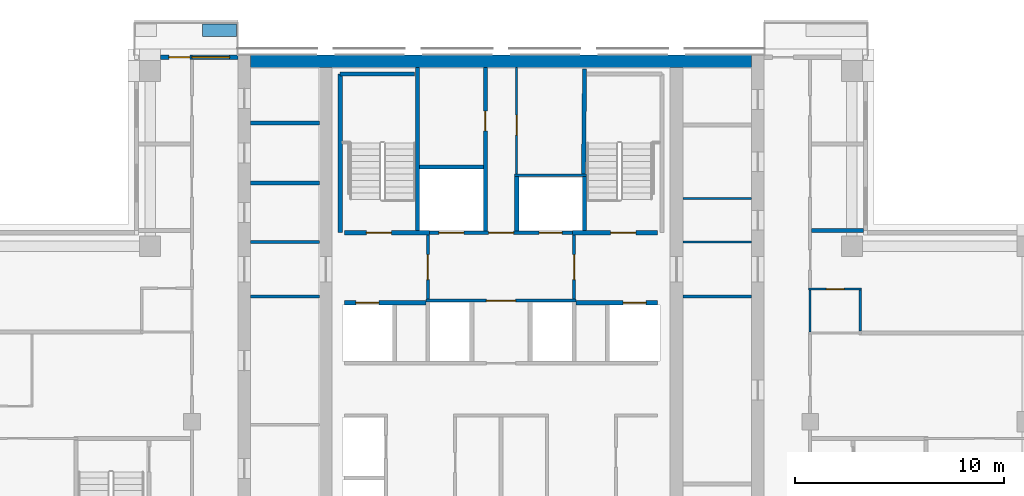
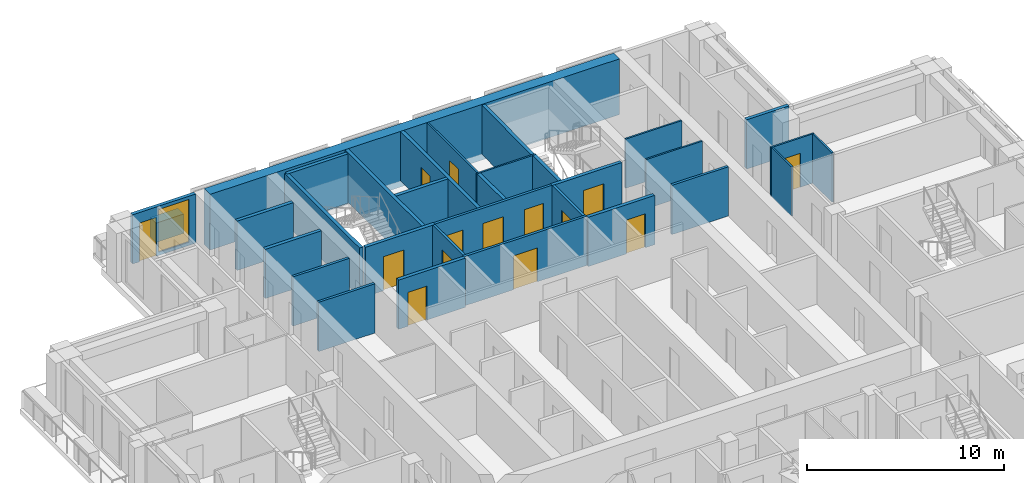
# One storey, part 12 of 16: 32 walls, 14 doors, 1 window, 15 openings.
"""IFC4 building model written with IfcOpenShell, lengths in metres."""

from ifc_helpers import new_model, si_unit, direction, frame, frame_2d, origin, place, context, subcontext, project, spatial, rectangle, extrude, material, layer, layer_set, type_object, element, fill, save


model = new_model("IFC4")

# Units and contexts
model_context = context("Model", 3, precision=1e-05, world=origin(), true_north=direction((0.0, 1.0)))
body_context = subcontext(model_context, "Body", "Model", "MODEL_VIEW")
ifc_project = project(units=[si_unit("LENGTHUNIT", "METRE"), si_unit("AREAUNIT", "SQUARE_METRE"), si_unit("VOLUMEUNIT", "CUBIC_METRE"), si_unit("PLANEANGLEUNIT", "RADIAN"), si_unit("MASSUNIT", "GRAM", prefix="KILO")], contexts=[model_context])

# Site, building, storey
site_placement = place(None, origin())
site = spatial("IfcSite", under=ifc_project, at=site_placement, CompositionType="ELEMENT")
building_placement = place(site_placement, origin())
building = spatial("IfcBuilding", under=site, at=building_placement, Name="Vermilion Ogive Tower", CompositionType="ELEMENT")
storey_placement = place(building_placement, frame((0.0, 0.0, 179.0)))
storey = spatial("IfcBuildingStorey", under=building, at=storey_placement, Name="L46", CompositionType="ELEMENT", Elevation=179.0)

# Wall
ifc_material_1 = material(Name="Concrete B60", Category="concrete")
ifc_layer_1 = layer(ifc_material_1, 0.60009765625)
ifc_layer_set_1 = layer_set([ifc_layer_1], Name="Core wall 600 B60")
wall_type_1 = type_object("IfcWallType", Name="Core wall 600 B60", PredefinedType="SHEAR", material=ifc_layer_set_1)
wall_1_placement = place(storey_placement, frame((-12.0, 21.449951171875, -0.39990234375), z_axis=(0.0, 0.0, 1.0), x_axis=(1.0, 0.0, 0.0)))
element("IfcWall", 1, at=wall_1_placement, inside=storey, type_object=wall_type_1, Name="L46-CORE-N", PredefinedType="SHEAR", context=body_context, shape_type="SweptSolid", body=[
    extrude(rectangle(XDim=24.0, YDim=0.60009765625, at=frame_2d((12.0, 0.0))), origin(), (0.0, 0.0, 1.0), 3.449951171875),
])

# Wall, opening, door
ifc_material_2 = material(Name="Gypsum board partition on steel studs", Category="steel")
ifc_layer_2 = layer(ifc_material_2, 0.10009765625)
ifc_layer_set_2 = layer_set([ifc_layer_2], Name="Partition 100 bath")
wall_type_2 = type_object("IfcWallType", Name="Partition 100 bath", PredefinedType="PARTITIONING", material=ifc_layer_set_2)
wall_2_placement = place(storey_placement, frame((14.72509765625, 10.550048828125, 0.0), z_axis=(0.0, 0.0, 1.0), x_axis=(1.0, 0.0, 0.0)))
wall_2 = element("IfcWall", 2, at=wall_2_placement, inside=storey, type_object=wall_type_2, Name="L46-W-W036", PredefinedType="PARTITIONING", context=body_context, shape_type="SweptSolid", body=[
    extrude(rectangle(XDim=2.52490234375, YDim=0.10009765625, at=frame_2d((1.262451171875, 0.0))), origin(), (0.0, 0.0, 1.0), 3.050048828125),
])
opening_1_placement = place(wall_2_placement, frame((0.849853515625, 0.0, 0.0)))
opening_1 = element("IfcOpeningElement", 3, at=opening_1_placement, cuts=wall_2, Name="Opening D4G1024", PredefinedType="OPENING", context=body_context, shape_type="SweptSolid", body=[
    extrude(rectangle(XDim=0.85009765625, YDim=2.10009765625, at=frame_2d((0.425048828125, 1.050048828125))), frame((0.0, 0.06005859375, 0.0), z_axis=(0.0, -1.0, 0.0), x_axis=(1.0, 0.0, 0.0)), (0.0, 0.0, 1.0), 0.1201171875),
])
ifc_material_3 = material(Name="Timber door leaf", Category="wood")
door_type_1 = type_object("IfcDoorType", Name="Bath door 850 x 2100 FD30", OperationType="SINGLE_SWING_LEFT", PredefinedType="DOOR", material=ifc_material_3)
door_1_placement = place(opening_1_placement, origin())
door_1 = element("IfcDoor", 4, at=door_1_placement, inside=storey, type_object=door_type_1, Name="L46-D-D024", OperationType="SINGLE_SWING_RIGHT", OverallHeight=2.10009765625, OverallWidth=0.85009765625, PredefinedType="DOOR", context=body_context, shape_type="SweptSolid", body=[
    extrude(rectangle(XDim=0.85009765625, YDim=2.10009765625, at=frame_2d((0.425048828125, 1.050048828125))), frame((0.0, 0.02490234375, 0.0), z_axis=(0.0, -1.0, 0.0), x_axis=(1.0, 0.0, 0.0)), (0.0, 0.0, 1.0), 0.050048828125),
])
fill(opening_1, door_1)

# Walls
wall_3_placement = place(storey_placement, frame((14.800048828125, 8.5, 0.0), z_axis=(0.0, 0.0, 1.0), x_axis=(0.0, 1.0, 0.0)))
element("IfcWall", 5, at=wall_3_placement, inside=storey, type_object=wall_type_2, Name="L46-W-W073", PredefinedType="PARTITIONING", context=body_context, shape_type="SweptSolid", body=[
    extrude(rectangle(XDim=2.0, YDim=0.10009765625, at=frame_2d((1.0, 0.0))), origin(), (0.0, 0.0, 1.0), 3.050048828125),
])
wall_4_placement = place(storey_placement, frame((17.199951171875, 8.550048828125, 0.0), z_axis=(0.0, 0.0, 1.0), x_axis=(0.0, 1.0, 0.0)))
element("IfcWall", 6, at=wall_4_placement, inside=storey, type_object=wall_type_2, Name="L46-W-W076", PredefinedType="PARTITIONING", context=body_context, shape_type="SweptSolid", body=[
    extrude(rectangle(XDim=1.949951171875, YDim=0.10009765625, at=frame_2d((0.97509765625, 0.0))), origin(), (0.0, 0.0, 1.0), 3.050048828125),
])
wall_5_placement = place(storey_placement, frame((0.64990234375, 16.0, 0.0), z_axis=(0.0, 0.0, 1.0), x_axis=(1.0, 0.0, 0.0)))
element("IfcWall", 7, at=wall_5_placement, inside=storey, type_object=wall_type_2, Name="L46-CK-W-W018", PredefinedType="PARTITIONING", context=body_context, shape_type="SweptSolid", body=[
    extrude(rectangle(XDim=3.4501953125, YDim=0.10009765625, at=frame_2d((1.72509765625, 0.0))), origin(), (0.0, 0.0, 1.0), 3.050048828125),
])

# Wall, opening, door
wall_6_placement = place(storey_placement, frame((0.75, 16.050048828125, 0.0), z_axis=(0.0, 0.0, 1.0), x_axis=(0.0, 1.0, 0.0)))
wall_6 = element("IfcWall", 8, at=wall_6_placement, inside=storey, type_object=wall_type_2, Name="L46-CK-W-W030", PredefinedType="PARTITIONING", context=body_context, shape_type="SweptSolid", body=[
    extrude(rectangle(XDim=5.098876953125, YDim=0.10009765625, at=frame_2d((2.54931640625, 0.0))), origin(), (0.0, 0.0, 1.0), 3.050048828125),
])
opening_2_placement = place(wall_6_placement, frame((1.875, 0.0, 0.0)))
opening_2 = element("IfcOpeningElement", 9, at=opening_2_placement, cuts=wall_6, Name="Opening DAA407", PredefinedType="OPENING", context=body_context, shape_type="SweptSolid", body=[
    extrude(rectangle(XDim=0.949951171875, YDim=2.10009765625, at=frame_2d((0.47509765625, 1.050048828125))), frame((0.0, 0.06005859375, 0.0), z_axis=(0.0, -1.0, 0.0), x_axis=(1.0, 0.0, 0.0)), (0.0, 0.0, 1.0), 0.1201171875),
])
ifc_material_4 = material(Name="Timber door leaf", Category="wood")
door_type_2 = type_object("IfcDoorType", Name="Service door 950 x 2100 FD60", OperationType="SINGLE_SWING_LEFT", PredefinedType="DOOR", material=ifc_material_4)
door_2_placement = place(opening_2_placement, origin())
door_2 = element("IfcDoor", 10, at=door_2_placement, inside=storey, type_object=door_type_2, Name="L46-CK-D-D022", OperationType="SINGLE_SWING_LEFT", OverallHeight=2.10009765625, OverallWidth=0.949951171875, PredefinedType="DOOR", context=body_context, shape_type="SweptSolid", body=[
    extrude(rectangle(XDim=0.949951171875, YDim=2.10009765625, at=frame_2d((0.47509765625, 1.050048828125))), frame((0.0, 0.02490234375, 0.0), z_axis=(0.0, -1.0, 0.0), x_axis=(1.0, 0.0, 0.0)), (0.0, 0.0, 1.0), 0.050048828125),
])
fill(opening_2, door_2)

# Walls
for number, where, z_axis, x_axis, name in (
    (11, (8.700927734375, 12.800048828125, 0.0), (0.0, 0.0, 1.0), (1.0, 0.0, 0.0), "L46-CKE-W-W003"),
    (12, (8.700927734375, 14.89111328125, 0.0), (0.0, 0.0, 1.0), (1.0, 0.0, 0.0), "L46-CKE-W-W004"),
):
    element("IfcWall", number, at=place(storey_placement, frame(where, z_axis=z_axis, x_axis=x_axis)), inside=storey, type_object=wall_type_2, Name=name, PredefinedType="PARTITIONING", context=body_context, shape_type="SweptSolid", body=[
        extrude(rectangle(XDim=3.298095703125, YDim=0.10009765625, at=frame_2d((1.64892578125, 0.0))), origin(), (0.0, 0.0, 1.0), 3.050048828125),
    ])

# Wall, opening, door
ifc_material_5 = material(Name="Gypsum board partition on steel studs", Category="steel")
ifc_layer_3 = layer(ifc_material_5, 0.14990234375)
ifc_layer_set_3 = layer_set([ifc_layer_3], Name="Partition 150 corridor")
wall_type_3 = type_object("IfcWallType", Name="Partition 150 corridor", PredefinedType="PARTITIONING", material=ifc_layer_set_3)
wall_7_placement = place(storey_placement, frame((-3.60009765625, 10.0, 0.0), z_axis=(0.0, 0.0, 1.0), x_axis=(1.0, 0.0, 0.0)))
wall_7 = element("IfcWall", 13, at=wall_7_placement, inside=storey, type_object=wall_type_3, Name="L46-CK-W-W014", PredefinedType="PARTITIONING", context=body_context, shape_type="SweptSolid", body=[
    extrude(rectangle(XDim=7.2001953125, YDim=0.14990234375, at=frame_2d((3.60009765625, 0.0))), origin(), (0.0, 0.0, 1.0), 3.050048828125),
])
opening_3_placement = place(wall_7_placement, frame((2.900146484375, 0.0, 0.0)))
opening_3 = element("IfcOpeningElement", 14, at=opening_3_placement, cuts=wall_7, Name="Opening DAA398", PredefinedType="OPENING", context=body_context, shape_type="SweptSolid", body=[
    extrude(rectangle(XDim=1.39990234375, YDim=2.10009765625, at=frame_2d((0.699951171875, 1.050048828125))), frame((0.0, 0.0849609375, 0.0), z_axis=(0.0, -1.0, 0.0), x_axis=(1.0, 0.0, 0.0)), (0.0, 0.0, 1.0), 0.169921875),
])
ifc_material_6 = material(Name="Timber door leaf", Category="wood")
door_type_3 = type_object("IfcDoorType", Name="Lobby door 1400 x 2100 FD60S", OperationType="SINGLE_SWING_LEFT", PredefinedType="DOOR", material=ifc_material_6)
door_3_placement = place(opening_3_placement, origin())
door_3 = element("IfcDoor", 15, at=door_3_placement, inside=storey, type_object=door_type_3, Name="L46-CK-D-D017", OperationType="SINGLE_SWING_RIGHT", OverallHeight=2.10009765625, OverallWidth=1.39990234375, PredefinedType="DOOR", context=body_context, shape_type="SweptSolid", body=[
    extrude(rectangle(XDim=1.39990234375, YDim=2.10009765625, at=frame_2d((0.699951171875, 1.050048828125))), frame((0.0, 0.02490234375, 0.0), z_axis=(0.0, -1.0, 0.0), x_axis=(1.0, 0.0, 0.0)), (0.0, 0.0, 1.0), 0.050048828125),
])
fill(opening_3, door_3)

# Wall, openings, doors
wall_8_placement = place(storey_placement, frame((-3.574951171875, 13.25, 0.0), z_axis=(0.0, 0.0, 1.0), x_axis=(1.0, 0.0, 0.0)))
wall_8 = element("IfcWall", 16, at=wall_8_placement, inside=storey, type_object=wall_type_3, Name="L46-CK-W-W016", PredefinedType="PARTITIONING", context=body_context, shape_type="SweptSolid", body=[
    extrude(rectangle(XDim=7.14990234375, YDim=0.14990234375, at=frame_2d((3.574951171875, 0.0))), origin(), (0.0, 0.0, 1.0), 3.050048828125),
])
opening_4_placement = place(wall_8_placement, frame((0.599853515625, 0.0, 0.0)))
opening_4 = element("IfcOpeningElement", 17, at=opening_4_placement, cuts=wall_8, Name="Opening DAA418", PredefinedType="OPENING", context=body_context, shape_type="SweptSolid", body=[
    extrude(rectangle(XDim=1.199951171875, YDim=2.10009765625, at=frame_2d((0.60009765625, 1.050048828125))), frame((0.0, 0.0849609375, 0.0), z_axis=(0.0, -1.0, 0.0), x_axis=(1.0, 0.0, 0.0)), (0.0, 0.0, 1.0), 0.169921875),
])
opening_5_placement = place(wall_8_placement, frame((5.39990234375, 0.0, 0.0)))
opening_5 = element("IfcOpeningElement", 18, at=opening_5_placement, cuts=wall_8, Name="Opening DAA417", PredefinedType="OPENING", context=body_context, shape_type="SweptSolid", body=[
    extrude(rectangle(XDim=1.10009765625, YDim=2.10009765625, at=frame_2d((0.550048828125, 1.050048828125))), frame((0.0, 0.0849609375, 0.0), z_axis=(0.0, -1.0, 0.0), x_axis=(1.0, 0.0, 0.0)), (0.0, 0.0, 1.0), 0.169921875),
])
opening_6_placement = place(wall_8_placement, frame((2.974853515625, 0.0, 0.0)))
opening_6 = element("IfcOpeningElement", 19, at=opening_6_placement, cuts=wall_8, Name="Opening DAA399", PredefinedType="OPENING", context=body_context, shape_type="SweptSolid", body=[
    extrude(rectangle(XDim=1.199951171875, YDim=2.10009765625, at=frame_2d((0.60009765625, 1.050048828125))), frame((0.0, 0.0849609375, 0.0), z_axis=(0.0, -1.0, 0.0), x_axis=(1.0, 0.0, 0.0)), (0.0, 0.0, 1.0), 0.169921875),
])
ifc_material_7 = material(Name="Stainless steel", Category="steel")
door_type_4 = type_object("IfcDoorType", Name="Lift landing door 1100 x 2100", OperationType="SLIDING_TO_LEFT", PredefinedType="DOOR", material=ifc_material_7)
door_4_placement = place(opening_5_placement, origin())
door_4 = element("IfcDoor", 20, at=door_4_placement, inside=storey, type_object=door_type_4, Name="L46-CK-D-D019", OperationType="SLIDING_TO_LEFT", OverallHeight=2.10009765625, OverallWidth=1.10009765625, PredefinedType="DOOR", context=body_context, shape_type="SweptSolid", body=[
    extrude(rectangle(XDim=1.10009765625, YDim=2.10009765625, at=frame_2d((0.550048828125, 1.050048828125))), frame((0.0, 0.02490234375, 0.0), z_axis=(0.0, -1.0, 0.0), x_axis=(1.0, 0.0, 0.0)), (0.0, 0.0, 1.0), 0.050048828125),
])
fill(opening_5, door_4)
ifc_material_8 = material(Name="Stainless steel", Category="steel")
door_type_5 = type_object("IfcDoorType", Name="Lift landing door 1200 x 2100", OperationType="SLIDING_TO_LEFT", PredefinedType="DOOR", material=ifc_material_8)
door_5_placement = place(opening_4_placement, origin())
door_5 = element("IfcDoor", 21, at=door_5_placement, inside=storey, type_object=door_type_5, Name="L46-CK-D-D018", OperationType="SLIDING_TO_RIGHT", OverallHeight=2.10009765625, OverallWidth=1.199951171875, PredefinedType="DOOR", context=body_context, shape_type="SweptSolid", body=[
    extrude(rectangle(XDim=1.199951171875, YDim=2.10009765625, at=frame_2d((0.60009765625, 1.050048828125))), frame((0.0, 0.02490234375, 0.0), z_axis=(0.0, -1.0, 0.0), x_axis=(1.0, 0.0, 0.0)), (0.0, 0.0, 1.0), 0.050048828125),
])
fill(opening_4, door_5)
ifc_material_9 = material(Name="Timber door leaf", Category="wood")
door_type_6 = type_object("IfcDoorType", Name="Service door 1200 x 2100 FD60", OperationType="SINGLE_SWING_LEFT", PredefinedType="DOOR", material=ifc_material_9)
door_6_placement = place(opening_6_placement, origin())
door_6 = element("IfcDoor", 22, at=door_6_placement, inside=storey, type_object=door_type_6, Name="L46-CK-D-D020", OperationType="SINGLE_SWING_RIGHT", OverallHeight=2.10009765625, OverallWidth=1.199951171875, PredefinedType="DOOR", context=body_context, shape_type="SweptSolid", body=[
    extrude(rectangle(XDim=1.199951171875, YDim=2.10009765625, at=frame_2d((0.60009765625, 1.050048828125))), frame((0.0, 0.02490234375, 0.0), z_axis=(0.0, -1.0, 0.0), x_axis=(1.0, 0.0, 0.0)), (0.0, 0.0, 1.0), 0.050048828125),
])
fill(opening_6, door_6)

# Wall, opening, door
wall_9_placement = place(storey_placement, frame((-3.5, 10.074951171875, 0.0), z_axis=(0.0, 0.0, 1.0), x_axis=(0.0, 1.0, 0.0)))
wall_9 = element("IfcWall", 23, at=wall_9_placement, inside=storey, type_object=wall_type_3, Name="L46-CK-W-W024", PredefinedType="PARTITIONING", context=body_context, shape_type="SweptSolid", body=[
    extrude(rectangle(XDim=3.074951171875, YDim=0.14990234375, at=frame_2d((1.53759765625, 0.0))), origin(), (0.0, 0.0, 1.0), 3.050048828125),
])
opening_7_placement = place(wall_9_placement, frame((0.925048828125, 0.0, 0.0)))
opening_7 = element("IfcOpeningElement", 24, at=opening_7_placement, cuts=wall_9, Name="Opening DAA395", PredefinedType="OPENING", context=body_context, shape_type="SweptSolid", body=[
    extrude(rectangle(XDim=1.199951171875, YDim=2.10009765625, at=frame_2d((0.60009765625, 1.050048828125))), frame((0.0, 0.0849609375, 0.0), z_axis=(0.0, -1.0, 0.0), x_axis=(1.0, 0.0, 0.0)), (0.0, 0.0, 1.0), 0.169921875),
])
ifc_material_10 = material(Name="Timber door leaf", Category="wood")
door_type_7 = type_object("IfcDoorType", Name="Lobby door 1200 x 2100 FD60S", OperationType="SINGLE_SWING_LEFT", PredefinedType="DOOR", material=ifc_material_10)
door_7_placement = place(opening_7_placement, origin())
door_7 = element("IfcDoor", 25, at=door_7_placement, inside=storey, type_object=door_type_7, Name="L46-CK-D-D023", OperationType="SINGLE_SWING_RIGHT", OverallHeight=2.10009765625, OverallWidth=1.199951171875, PredefinedType="DOOR", context=body_context, shape_type="SweptSolid", body=[
    extrude(rectangle(XDim=1.199951171875, YDim=2.10009765625, at=frame_2d((0.60009765625, 1.050048828125))), frame((0.0, 0.02490234375, 0.0), z_axis=(0.0, -1.0, 0.0), x_axis=(1.0, 0.0, 0.0)), (0.0, 0.0, 1.0), 0.050048828125),
])
fill(opening_7, door_7)

wall_10_placement = place(storey_placement, frame((3.5, 10.074951171875, 0.0), z_axis=(0.0, 0.0, 1.0), x_axis=(0.0, 1.0, 0.0)))
wall_10 = element("IfcWall", 26, at=wall_10_placement, inside=storey, type_object=wall_type_3, Name="L46-CK-W-W034", PredefinedType="PARTITIONING", context=body_context, shape_type="SweptSolid", body=[
    extrude(rectangle(XDim=3.074951171875, YDim=0.14990234375, at=frame_2d((1.53759765625, 0.0))), origin(), (0.0, 0.0, 1.0), 3.050048828125),
])
opening_8_placement = place(wall_10_placement, frame((0.925048828125, 0.0, 0.0)))
opening_8 = element("IfcOpeningElement", 27, at=opening_8_placement, cuts=wall_10, Name="Opening DAA396", PredefinedType="OPENING", context=body_context, shape_type="SweptSolid", body=[
    extrude(rectangle(XDim=1.199951171875, YDim=2.10009765625, at=frame_2d((0.60009765625, 1.050048828125))), frame((0.0, 0.0849609375, 0.0), z_axis=(0.0, -1.0, 0.0), x_axis=(1.0, 0.0, 0.0)), (0.0, 0.0, 1.0), 0.169921875),
])
door_8_placement = place(opening_8_placement, origin())
door_8 = element("IfcDoor", 28, at=door_8_placement, inside=storey, type_object=door_type_7, Name="L46-CK-D-D024", OperationType="SINGLE_SWING_LEFT", OverallHeight=2.10009765625, OverallWidth=1.199951171875, PredefinedType="DOOR", context=body_context, shape_type="SweptSolid", body=[
    extrude(rectangle(XDim=1.199951171875, YDim=2.10009765625, at=frame_2d((0.60009765625, 1.050048828125))), frame((0.0, 0.02490234375, 0.0), z_axis=(0.0, -1.0, 0.0), x_axis=(1.0, 0.0, 0.0)), (0.0, 0.0, 1.0), 0.050048828125),
])
fill(opening_8, door_8)

# Walls
for number, where, z_axis, x_axis, name in (
    (29, (-11.9990234375, 10.199951171875, 0.0), (0.0, 0.0, 1.0), (1.0, 0.0, 0.0), "L46-CKW-W-W003"),
    (30, (-11.9990234375, 12.800048828125, 0.0), (0.0, 0.0, 1.0), (1.0, 0.0, 0.0), "L46-CKW-W-W004"),
    (31, (8.700927734375, 10.199951171875, 0.0), (0.0, 0.0, 1.0), (1.0, 0.0, 0.0), "L46-CKE-W-W002"),
):
    element("IfcWall", number, at=place(storey_placement, frame(where, z_axis=z_axis, x_axis=x_axis)), inside=storey, type_object=wall_type_3, Name=name, PredefinedType="PARTITIONING", context=body_context, shape_type="SweptSolid", body=[
        extrude(rectangle(XDim=3.298095703125, YDim=0.14990234375, at=frame_2d((1.64892578125, 0.0))), origin(), (0.0, 0.0, 1.0), 3.050048828125),
    ])
ifc_material_11 = material(Name="Gypsum board partition on steel studs", Category="steel")
ifc_layer_4 = layer(ifc_material_11, 0.199951171875)
ifc_layer_set_4 = layer_set([ifc_layer_4], Name="Partition 200 party")
wall_type_4 = type_object("IfcWallType", Name="Partition 200 party", PredefinedType="PARTITIONING", material=ifc_layer_set_4)
wall_11_placement = place(storey_placement, frame((14.875, 13.35009765625, 0.0), z_axis=(0.0, 0.0, 1.0), x_axis=(1.0, 0.0, 0.0)))
element("IfcWall", 32, at=wall_11_placement, inside=storey, type_object=wall_type_4, Name="L46-W-W039", PredefinedType="PARTITIONING", context=body_context, shape_type="SweptSolid", body=[
    extrude(rectangle(XDim=2.47509765625, YDim=0.199951171875, at=frame_2d((1.237548828125, 0.0))), origin(), (0.0, 0.0, 1.0), 3.050048828125),
])

# Wall, opening, door
wall_12_placement = place(storey_placement, frame((-7.5, 9.89990234375, 0.0), z_axis=(0.0, 0.0, 1.0), x_axis=(1.0, 0.0, 0.0)))
wall_12 = element("IfcWall", 33, at=wall_12_placement, inside=storey, type_object=wall_type_4, Name="L46-CK-W-W012", PredefinedType="PARTITIONING", context=body_context, shape_type="SweptSolid", body=[
    extrude(rectangle(XDim=3.89990234375, YDim=0.199951171875, at=frame_2d((1.949951171875, 0.0))), origin(), (0.0, 0.0, 1.0), 3.050048828125),
])
opening_9_placement = place(wall_12_placement, frame((0.550048828125, 0.0, 0.0)))
opening_9 = element("IfcOpeningElement", 34, at=opening_9_placement, cuts=wall_12, Name="Opening DAA415", PredefinedType="OPENING", context=body_context, shape_type="SweptSolid", body=[
    extrude(rectangle(XDim=1.10009765625, YDim=2.10009765625, at=frame_2d((0.550048828125, 1.050048828125))), frame((0.0, 0.10986328125, 0.0), z_axis=(0.0, -1.0, 0.0), x_axis=(1.0, 0.0, 0.0)), (0.0, 0.0, 1.0), 0.219970703125),
])
door_9_placement = place(opening_9_placement, origin())
door_9 = element("IfcDoor", 35, at=door_9_placement, inside=storey, type_object=door_type_4, Name="L46-CK-D-D013", OperationType="SLIDING_TO_RIGHT", OverallHeight=2.10009765625, OverallWidth=1.10009765625, PredefinedType="DOOR", context=body_context, shape_type="SweptSolid", body=[
    extrude(rectangle(XDim=1.10009765625, YDim=2.10009765625, at=frame_2d((0.550048828125, 1.050048828125))), frame((0.0, 0.02490234375, 0.0), z_axis=(0.0, -1.0, 0.0), x_axis=(1.0, 0.0, 0.0)), (0.0, 0.0, 1.0), 0.050048828125),
])
fill(opening_9, door_9)

wall_13_placement = place(storey_placement, frame((3.60009765625, 9.89990234375, 0.0), z_axis=(0.0, 0.0, 1.0), x_axis=(1.0, 0.0, 0.0)))
wall_13 = element("IfcWall", 36, at=wall_13_placement, inside=storey, type_object=wall_type_4, Name="L46-CK-W-W013", PredefinedType="PARTITIONING", context=body_context, shape_type="SweptSolid", body=[
    extrude(rectangle(XDim=3.89990234375, YDim=0.199951171875, at=frame_2d((1.949951171875, 0.0))), origin(), (0.0, 0.0, 1.0), 3.050048828125),
])
opening_10_placement = place(wall_13_placement, frame((2.25, 0.0, 0.0)))
opening_10 = element("IfcOpeningElement", 37, at=opening_10_placement, cuts=wall_13, Name="Opening DAA416", PredefinedType="OPENING", context=body_context, shape_type="SweptSolid", body=[
    extrude(rectangle(XDim=1.10009765625, YDim=2.10009765625, at=frame_2d((0.550048828125, 1.050048828125))), frame((0.0, 0.10986328125, 0.0), z_axis=(0.0, -1.0, 0.0), x_axis=(1.0, 0.0, 0.0)), (0.0, 0.0, 1.0), 0.219970703125),
])
door_10_placement = place(opening_10_placement, origin())
door_10 = element("IfcDoor", 38, at=door_10_placement, inside=storey, type_object=door_type_4, Name="L46-CK-D-D015", OperationType="SLIDING_TO_LEFT", OverallHeight=2.10009765625, OverallWidth=1.10009765625, PredefinedType="DOOR", context=body_context, shape_type="SweptSolid", body=[
    extrude(rectangle(XDim=1.10009765625, YDim=2.10009765625, at=frame_2d((0.550048828125, 1.050048828125))), frame((0.0, 0.02490234375, 0.0), z_axis=(0.0, -1.0, 0.0), x_axis=(1.0, 0.0, 0.0)), (0.0, 0.0, 1.0), 0.050048828125),
])
fill(opening_10, door_10)

# Wall
wall_14_placement = place(storey_placement, frame((-3.89990234375, 16.39990234375, 0.0), z_axis=(0.0, 0.0, 1.0), x_axis=(1.0, 0.0, 0.0)))
element("IfcWall", 39, at=wall_14_placement, inside=storey, type_object=wall_type_4, Name="L46-CK-W-W019", PredefinedType="PARTITIONING", context=body_context, shape_type="SweptSolid", body=[
    extrude(rectangle(XDim=3.0498046875, YDim=0.199951171875, at=frame_2d((1.52490234375, 0.0))), origin(), (0.0, 0.0, 1.0), 3.050048828125),
])

# Wall, opening, door
wall_15_placement = place(storey_placement, frame((-0.75, 13.324951171875, 0.0), z_axis=(0.0, 0.0, 1.0), x_axis=(0.0, 1.0, 0.0)))
wall_15 = element("IfcWall", 40, at=wall_15_placement, inside=storey, type_object=wall_type_4, Name="L46-CK-W-W027", PredefinedType="PARTITIONING", context=body_context, shape_type="SweptSolid", body=[
    extrude(rectangle(XDim=7.823974609375, YDim=0.199951171875, at=frame_2d((3.912109375, 0.0))), origin(), (0.0, 0.0, 1.0), 3.050048828125),
])
opening_11_placement = place(wall_15_placement, frame((4.800048828125, 0.0, 0.0)))
opening_11 = element("IfcOpeningElement", 41, at=opening_11_placement, cuts=wall_15, Name="Opening DAA406", PredefinedType="OPENING", context=body_context, shape_type="SweptSolid", body=[
    extrude(rectangle(XDim=0.949951171875, YDim=2.10009765625, at=frame_2d((0.47509765625, 1.050048828125))), frame((0.0, 0.10986328125, 0.0), z_axis=(0.0, -1.0, 0.0), x_axis=(1.0, 0.0, 0.0)), (0.0, 0.0, 1.0), 0.219970703125),
])
door_11_placement = place(opening_11_placement, origin())
door_11 = element("IfcDoor", 42, at=door_11_placement, inside=storey, type_object=door_type_2, Name="L46-CK-D-D021", OperationType="SINGLE_SWING_RIGHT", OverallHeight=2.10009765625, OverallWidth=0.949951171875, PredefinedType="DOOR", context=body_context, shape_type="SweptSolid", body=[
    extrude(rectangle(XDim=0.949951171875, YDim=2.10009765625, at=frame_2d((0.47509765625, 1.050048828125))), frame((0.0, 0.02490234375, 0.0), z_axis=(0.0, -1.0, 0.0), x_axis=(1.0, 0.0, 0.0)), (0.0, 0.0, 1.0), 0.050048828125),
])
fill(opening_11, door_11)

# Walls
wall_16_placement = place(storey_placement, frame((0.75, 13.324951171875, 0.0), z_axis=(0.0, 0.0, 1.0), x_axis=(0.0, 1.0, 0.0)))
element("IfcWall", 43, at=wall_16_placement, inside=storey, type_object=wall_type_4, Name="L46-CK-W-W029", PredefinedType="PARTITIONING", context=body_context, shape_type="SweptSolid", body=[
    extrude(rectangle(XDim=2.625, YDim=0.199951171875, at=frame_2d((1.3125, 0.0))), origin(), (0.0, 0.0, 1.0), 3.050048828125),
])
for number, where, z_axis, x_axis, name in (
    (44, (-11.9990234375, 15.636962890625, 0.0), (0.0, 0.0, 1.0), (1.0, 0.0, 0.0), "L46-CKW-W-W005"),
    (45, (-11.9990234375, 18.509033203125, 0.0), (0.0, 0.0, 1.0), (1.0, 0.0, 0.0), "L46-CKW-W-W006"),
):
    element("IfcWall", number, at=place(storey_placement, frame(where, z_axis=z_axis, x_axis=x_axis)), inside=storey, type_object=wall_type_4, Name=name, PredefinedType="PARTITIONING", context=body_context, shape_type="SweptSolid", body=[
        extrude(rectangle(XDim=3.298095703125, YDim=0.199951171875, at=frame_2d((1.64892578125, 0.0))), origin(), (0.0, 0.0, 1.0), 3.050048828125),
    ])

# Wall, opening, door
ifc_material_12 = material(Name="Concrete B60", Category="concrete")
ifc_layer_5 = layer(ifc_material_12, 0.199951171875)
ifc_layer_set_5 = layer_set([ifc_layer_5], Name="Stair shaft wall 200 Concrete B60")
wall_type_5 = type_object("IfcWallType", Name="Stair shaft wall 200 Concrete B60", PredefinedType="SOLIDWALL", material=ifc_layer_set_5)
wall_17_placement = place(storey_placement, frame((-7.5, 13.25, 0.0), z_axis=(0.0, 0.0, 1.0), x_axis=(1.0, 0.0, 0.0)))
wall_17 = element("IfcWall", 46, at=wall_17_placement, inside=storey, type_object=wall_type_5, Name="L46-CK-W-W015", PredefinedType="SOLIDWALL", context=body_context, shape_type="SweptSolid", body=[
    extrude(rectangle(XDim=4.074951171875, YDim=0.199951171875, at=frame_2d((2.03759765625, 0.0))), origin(), (0.0, 0.0, 1.0), 3.050048828125),
])
opening_12_placement = place(wall_17_placement, frame((1.050048828125, 0.0, 0.0)))
opening_12 = element("IfcOpeningElement", 47, at=opening_12_placement, cuts=wall_17, Name="Opening DAA408", PredefinedType="OPENING", context=body_context, shape_type="SweptSolid", body=[
    extrude(rectangle(XDim=1.199951171875, YDim=2.10009765625, at=frame_2d((0.60009765625, 1.050048828125))), frame((0.0, 0.10986328125, 0.0), z_axis=(0.0, -1.0, 0.0), x_axis=(1.0, 0.0, 0.0)), (0.0, 0.0, 1.0), 0.219970703125),
])
ifc_material_13 = material(Name="Timber door leaf", Category="wood")
door_type_8 = type_object("IfcDoorType", Name="Stair door 1200 x 2100 FD60S", OperationType="SINGLE_SWING_LEFT", PredefinedType="DOOR", material=ifc_material_13)
door_12_placement = place(opening_12_placement, origin())
door_12 = element("IfcDoor", 48, at=door_12_placement, inside=storey, type_object=door_type_8, Name="L46-CK-D-D012", OperationType="SINGLE_SWING_LEFT", OverallHeight=2.10009765625, OverallWidth=1.199951171875, PredefinedType="DOOR", context=body_context, shape_type="SweptSolid", body=[
    extrude(rectangle(XDim=1.199951171875, YDim=2.10009765625, at=frame_2d((0.60009765625, 1.050048828125))), frame((0.0, 0.02490234375, 0.0), z_axis=(0.0, -1.0, 0.0), x_axis=(1.0, 0.0, 0.0)), (0.0, 0.0, 1.0), 0.050048828125),
])
fill(opening_12, door_12)

wall_18_placement = place(storey_placement, frame((3.425048828125, 13.25, 0.0), z_axis=(0.0, 0.0, 1.0), x_axis=(1.0, 0.0, 0.0)))
wall_18 = element("IfcWall", 49, at=wall_18_placement, inside=storey, type_object=wall_type_5, Name="L46-CK-W-W017", PredefinedType="SOLIDWALL", context=body_context, shape_type="SweptSolid", body=[
    extrude(rectangle(XDim=4.074951171875, YDim=0.199951171875, at=frame_2d((2.03759765625, 0.0))), origin(), (0.0, 0.0, 1.0), 3.050048828125),
])
opening_13_placement = place(wall_18_placement, frame((1.824951171875, 0.0, 0.0)))
opening_13 = element("IfcOpeningElement", 50, at=opening_13_placement, cuts=wall_18, Name="Opening DAA409", PredefinedType="OPENING", context=body_context, shape_type="SweptSolid", body=[
    extrude(rectangle(XDim=1.199951171875, YDim=2.10009765625, at=frame_2d((0.60009765625, 1.050048828125))), frame((0.0, 0.10986328125, 0.0), z_axis=(0.0, -1.0, 0.0), x_axis=(1.0, 0.0, 0.0)), (0.0, 0.0, 1.0), 0.219970703125),
])
door_13_placement = place(opening_13_placement, origin())
door_13 = element("IfcDoor", 51, at=door_13_placement, inside=storey, type_object=door_type_8, Name="L46-CK-D-D014", OperationType="SINGLE_SWING_RIGHT", OverallHeight=2.10009765625, OverallWidth=1.199951171875, PredefinedType="DOOR", context=body_context, shape_type="SweptSolid", body=[
    extrude(rectangle(XDim=1.199951171875, YDim=2.10009765625, at=frame_2d((0.60009765625, 1.050048828125))), frame((0.0, 0.02490234375, 0.0), z_axis=(0.0, -1.0, 0.0), x_axis=(1.0, 0.0, 0.0)), (0.0, 0.0, 1.0), 0.050048828125),
])
fill(opening_13, door_13)

# Walls
wall_19_placement = place(storey_placement, frame((-4.0, 13.35009765625, 0.0), z_axis=(0.0, 0.0, 1.0), x_axis=(0.0, 1.0, 0.0)))
element("IfcWall", 52, at=wall_19_placement, inside=storey, type_object=wall_type_5, Name="L46-CK-W-W022", PredefinedType="SOLIDWALL", context=body_context, shape_type="SweptSolid", body=[
    extrude(rectangle(XDim=7.798828125, YDim=0.199951171875, at=frame_2d((3.8994140625, 0.0))), origin(), (0.0, 0.0, 1.0), 3.050048828125),
])
wall_20_placement = place(storey_placement, frame((4.0, 13.35009765625, 0.0), z_axis=(0.0, 0.0, 1.0), x_axis=(0.0, 1.0, 0.0)))
element("IfcWall", 53, at=wall_20_placement, inside=storey, type_object=wall_type_5, Name="L46-CK-W-W035", PredefinedType="SOLIDWALL", context=body_context, shape_type="SweptSolid", body=[
    extrude(rectangle(XDim=2.599853515625, YDim=0.199951171875, at=frame_2d((1.2998046875, 0.0))), origin(), (0.0, 0.0, 1.0), 3.050048828125),
])
wall_21_placement = place(storey_placement, frame((3.949951171875, 16.050048828125, 0.0), z_axis=(0.0, 0.0, 1.0), x_axis=(0.009911993103, 0.99995087499, 0.0)))
element("IfcWall", 54, at=wall_21_placement, inside=storey, type_object=wall_type_5, Name="L46-CK-W-W036", PredefinedType="SOLIDWALL", context=body_context, shape_type="SweptSolid", body=[
    extrude(rectangle(XDim=5.04931640625, YDim=0.199951171875, at=frame_2d((2.524658203125, 0.0))), origin(), (0.0, 0.0, 1.0), 3.050048828125),
])
wall_22_placement = place(storey_placement, frame((-7.699951171875, 13.25, 0.0), z_axis=(0.0, 0.0, 1.0), x_axis=(0.0, 1.0, 0.0)))
element("IfcWall", 55, at=wall_22_placement, inside=storey, type_object=wall_type_5, Name="L46-SW-R017-W1", PredefinedType="SOLIDWALL", context=body_context, shape_type="SweptSolid", body=[
    extrude(rectangle(XDim=7.60009765625, YDim=0.199951171875, at=frame_2d((3.800048828125, 0.0))), origin(), (0.0, 0.0, 1.0), 3.050048828125),
])
wall_23_placement = place(storey_placement, frame((-7.699951171875, 20.85009765625, 0.0), z_axis=(0.0, 0.0, 1.0), x_axis=(1.0, 0.0, 0.0)))
element("IfcWall", 56, at=wall_23_placement, inside=storey, type_object=wall_type_5, Name="L46-SW-R017-N1", PredefinedType="SOLIDWALL", context=body_context, shape_type="SweptSolid", body=[
    extrude(rectangle(XDim=3.550048828125, YDim=0.199951171875, at=frame_2d((1.77490234375, 0.0))), origin(), (0.0, 0.0, 1.0), 3.050048828125),
])
ifc_material_14 = material(Name="Concrete B40", Category="concrete")
ifc_layer_6 = layer(ifc_material_14, 0.60009765625)
ifc_layer_set_6 = layer_set([ifc_layer_6], Name="Structural planter")
wall_type_6 = type_object("IfcWallType", Name="Structural planter", PredefinedType="USERDEFINED", material=ifc_layer_set_6)
wall_24_placement = place(storey_placement, frame((-12.659912109375, 22.9541015625, -0.0400390625), z_axis=(0.0, 0.0, 1.0), x_axis=(-1.0, 0.0, 0.0)))
element("IfcWall", 57, at=wall_24_placement, inside=storey, type_object=wall_type_6, Name="Planter N201A1", ObjectType="PLANTER", PredefinedType="USERDEFINED", context=body_context, shape_type="SweptSolid", body=[
    extrude(rectangle(XDim=1.64013671875, YDim=0.60009765625, at=frame_2d((0.820068359375, 0.0))), origin(), (0.0, 0.0, 1.0), 1.199951171875),
])

# Wall, openings, door, window
ifc_material_15 = material(Name="Aluminium window wall framing", Category="aluminium")
ifc_layer_7 = layer(ifc_material_15, 0.199951171875)
ifc_layer_set_7 = layer_set([ifc_layer_7], Name="Window wall")
wall_type_7 = type_object("IfcWallType", Name="Window wall", PredefinedType="STANDARD", material=ifc_layer_set_7)
wall_25_placement = place(storey_placement, frame((-12.60009765625, 21.64990234375, 0.0), z_axis=(0.0, 0.0, 1.0), x_axis=(-1.0, 0.0, 0.0)))
wall_25 = element("IfcWall", 58, at=wall_25_placement, inside=storey, type_object=wall_type_7, Name="Window wall N21", PredefinedType="STANDARD", context=body_context, shape_type="SweptSolid", body=[
    extrude(rectangle(XDim=3.699951171875, YDim=0.199951171875, at=frame_2d((1.85009765625, 0.0))), origin(), (0.0, 0.0, 1.0), 3.050048828125),
])
opening_14_placement = place(wall_25_placement, frame((0.39990234375, 0.0, 0.199951171875)))
opening_14 = element("IfcOpeningElement", 59, at=opening_14_placement, cuts=wall_25, Name="Opening W1-N296", PredefinedType="OPENING", context=body_context, shape_type="SweptSolid", body=[
    extrude(rectangle(XDim=1.800048828125, YDim=2.64990234375, at=frame_2d((0.89990234375, 1.324951171875))), frame((0.0, 0.10986328125, 0.0), z_axis=(0.0, -1.0, 0.0), x_axis=(1.0, 0.0, 0.0)), (0.0, 0.0, 1.0), 0.219970703125),
])
opening_15_placement = place(wall_25_placement, frame((2.300048828125, 0.0, 0.0)))
opening_15 = element("IfcOpeningElement", 60, at=opening_15_placement, cuts=wall_25, Name="Opening D1-N296", PredefinedType="OPENING", context=body_context, shape_type="SweptSolid", body=[
    extrude(rectangle(XDim=1.0, YDim=2.39990234375, at=frame_2d((0.5, 1.199951171875))), frame((0.0, 0.10986328125, 0.0), z_axis=(0.0, -1.0, 0.0), x_axis=(1.0, 0.0, 0.0)), (0.0, 0.0, 1.0), 0.219970703125),
])
ifc_material_16 = material(Name="Aluminium framed glazed door", Category="aluminium")
door_type_9 = type_object("IfcDoorType", Name="Balcony door D1", OperationType="SINGLE_SWING_LEFT", PredefinedType="DOOR", material=ifc_material_16)
door_14_placement = place(opening_15_placement, origin())
door_14 = element("IfcDoor", 61, at=door_14_placement, inside=storey, type_object=door_type_9, Name="Balcony door N296", OperationType="SINGLE_SWING_LEFT", OverallHeight=2.39990234375, OverallWidth=1.0, PredefinedType="DOOR", context=body_context, shape_type="SweptSolid", body=[
    extrude(rectangle(XDim=1.0, YDim=2.39990234375, at=frame_2d((0.5, 1.199951171875))), frame((0.0, 0.02490234375, 0.0), z_axis=(0.0, -1.0, 0.0), x_axis=(1.0, 0.0, 0.0)), (0.0, 0.0, 1.0), 0.050048828125),
])
fill(opening_15, door_14)
ifc_material_17 = material(Name="Aluminium framed double glazing", Category="aluminium")
window_type = type_object("IfcWindowType", Name="Guest window W1", PartitioningType="SINGLE_PANEL", PredefinedType="WINDOW", material=ifc_material_17)
window_placement = place(opening_14_placement, origin())
window = element("IfcWindow", 62, at=window_placement, inside=storey, type_object=window_type, Name="Window N296", OverallHeight=2.64990234375, OverallWidth=1.800048828125, PartitioningType="SINGLE_PANEL", PredefinedType="WINDOW", context=body_context, shape_type="SweptSolid", body=[
    extrude(rectangle(XDim=1.800048828125, YDim=2.64990234375, at=frame_2d((0.89990234375, 1.324951171875))), frame((0.0, 0.030029296875, 0.0), z_axis=(0.0, -1.0, 0.0), x_axis=(1.0, 0.0, 0.0)), (0.0, 0.0, 1.0), 0.06005859375),
])
fill(opening_14, window)

save(model, "model.ifc")
